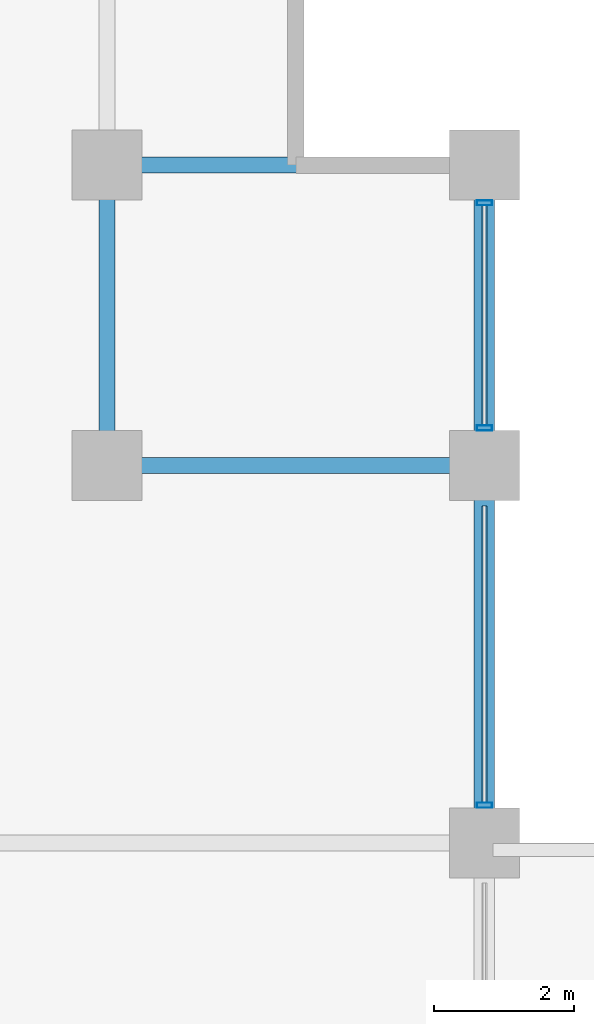
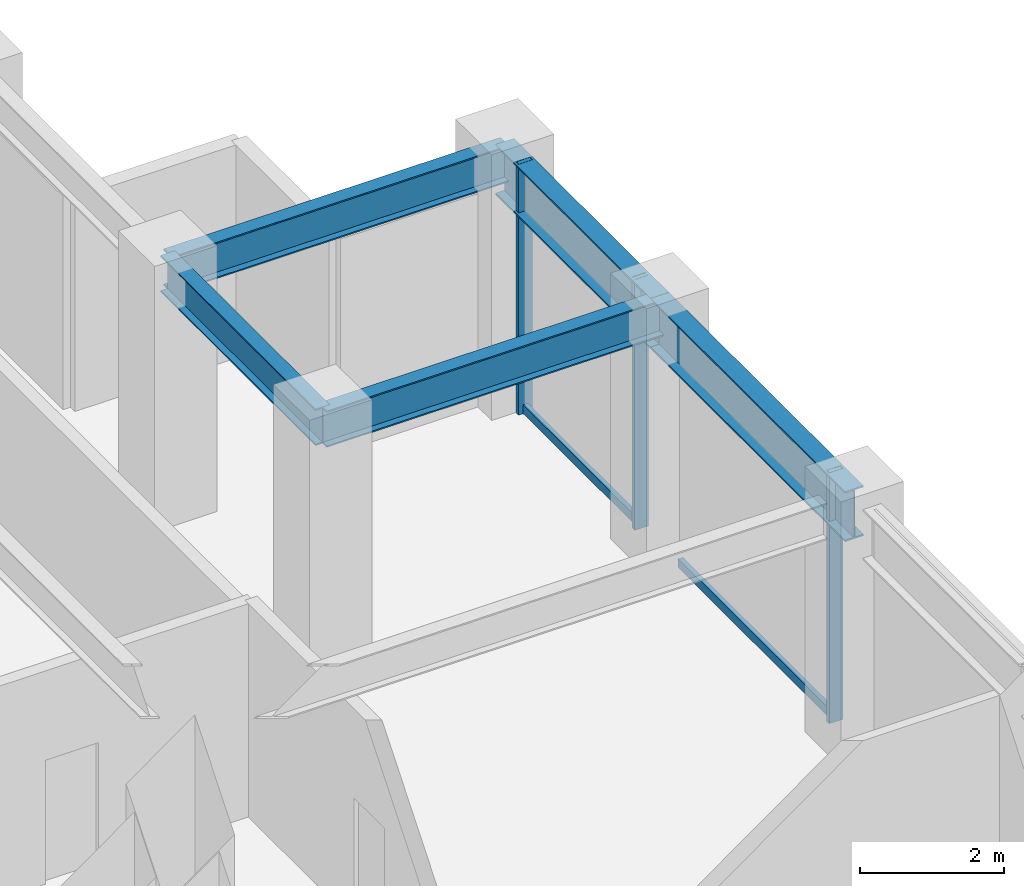
# One storey, part 14 of 25: 5 beams, 5 members, 1 element without a shape of its own.
"""IFC4 building model written with IfcOpenShell, lengths in metres."""

import ifcopenshell
import ifcopenshell.guid

model = None  # the IFC model being written
_history = None  # IfcOwnerHistory: only IFC2X3 demands one
_inside = {}  # id of a spatial element -> (the spatial element, [elements in it])
_under = {}  # id of a project, library or spatial element -> (it, [spatial elements below it])
_declared = {}  # id of a project -> (the project, [libraries it declares])
_typed = {}  # id of a type object -> (the type object, [elements of that type])
_made_of = {}  # id of a material, layer set ... -> (it, [elements and type objects made of it])


def new_model(schema):
    """Start an empty IFC model of exactly this schema.

    Asked for "IFC4X3", IfcOpenShell would pick the latest addendum, in which some entities
    have other attributes; the version numbers below select the first issue.
    IFC2X3 requires an IfcOwnerHistory on every rooted entity: one is made here for all.
    """
    global model, _history
    if schema == "IFC4X3":
        model = ifcopenshell.file(schema_version=(4, 3, 0, 0))
    else:
        model = ifcopenshell.file(schema=schema)
    _inside.clear()
    _under.clear()
    _declared.clear()
    _typed.clear()
    _made_of.clear()
    _history = None
    if model.schema == "IFC2X3":
        org = make("IfcOrganization", Name="unknown")
        user = make(
            "IfcPersonAndOrganization",
            ThePerson=make("IfcPerson", FamilyName="unknown"),
            TheOrganization=org,
        )
        app = make(
            "IfcApplication",
            ApplicationDeveloper=org,
            Version="unknown",
            ApplicationFullName="unknown",
            ApplicationIdentifier="unknown",
        )
        _history = make(
            "IfcOwnerHistory",
            OwningUser=user,
            OwningApplication=app,
            ChangeAction="ADDED",
            CreationDate=0,
        )
    return model


def make(cls, **values):
    """One entity of the class cls with the attributes given. An attribute that is None is left unset."""
    return model.create_entity(
        cls, **{name: value for name, value in values.items() if value is not None}
    )


def rooted(cls, **values):
    """An entity with a GlobalId (a new one), such as an element, a storey or a relation."""
    return make(cls, GlobalId=ifcopenshell.guid.new(), OwnerHistory=_history, **values)


def si_unit(unit_type, name, prefix=None):
    """IfcSIUnit, for example si_unit("LENGTHUNIT", "METRE", prefix="MILLI")."""
    return make("IfcSIUnit", UnitType=unit_type, Prefix=prefix, Name=name)


def assignment(units):
    """IfcUnitAssignment: the units of a project."""
    return None if units is None else make("IfcUnitAssignment", Units=units)


def point(xyz):
    """IfcCartesianPoint."""
    return None if xyz is None else make("IfcCartesianPoint", Coordinates=xyz)


def direction(xyz):
    """IfcDirection."""
    return None if xyz is None else make("IfcDirection", DirectionRatios=xyz)


def frame(location, z_axis=None, x_axis=None):
    """IfcAxis2Placement3D, a coordinate frame: its origin and axes. An axis left out is left unset."""
    return make(
        "IfcAxis2Placement3D",
        Location=point(location),
        Axis=direction(z_axis),
        RefDirection=direction(x_axis),
    )


def frame_2d(location, x_axis=None):
    """IfcAxis2Placement2D, a coordinate frame in the plane: its origin and x axis."""
    return make(
        "IfcAxis2Placement2D", Location=point(location), RefDirection=direction(x_axis)
    )


def origin():
    """The frame at (0, 0, 0) with its axes left unset."""
    return frame((0.0, 0.0, 0.0))


def origin_2d():
    """The frame at (0, 0) in the plane with its x axis left unset."""
    return frame_2d((0.0, 0.0))


def place(relative_to, where):
    """IfcLocalPlacement: puts the frame where relative to a parent placement (None: the world)."""
    return make(
        "IfcLocalPlacement", PlacementRelTo=relative_to, RelativePlacement=where
    )


def context(
    kind, dimensions, precision=None, world=None, true_north=None, identifier=None
):
    """IfcGeometricRepresentationContext, for example the 3D "Model" context."""
    return make(
        "IfcGeometricRepresentationContext",
        ContextIdentifier=identifier,
        ContextType=kind,
        CoordinateSpaceDimension=dimensions,
        Precision=precision,
        WorldCoordinateSystem=world,
        TrueNorth=true_north,
    )


def subcontext(parent, identifier, kind, view, scale=None):
    """IfcGeometricRepresentationSubContext, for example "Body" below "Model"."""
    return make(
        "IfcGeometricRepresentationSubContext",
        ContextIdentifier=identifier,
        ContextType=kind,
        ParentContext=parent,
        TargetScale=scale,
        TargetView=view,
    )


def project(units=None, contexts=None):
    """IfcProject with its units and contexts."""
    return rooted(
        "IfcProject",
        Name="project",
        RepresentationContexts=contexts,
        UnitsInContext=assignment(units),
    )


def spatial(cls, under=None, at=None, **own):
    """A site, building, storey or space (cls), placed at a placement, below another one or the project."""
    s = rooted(cls, ObjectPlacement=at, **own)
    if under is not None:
        _under.setdefault(under.id(), (under, []))[1].append(s)
    return s


def profile(cls, at=None, kind="AREA", **sizes):
    """A parametric profile (cls). Its sizes go by their IFC names, for example OverallWidth=200.0."""
    return make(cls, ProfileType=kind, Position=at, **sizes)


def hollow_rectangle(**sizes):
    """IfcRectangleHollowProfileDef."""
    return profile("IfcRectangleHollowProfileDef", **sizes)


def i_section(**sizes):
    """IfcIShapeProfileDef."""
    return profile("IfcIShapeProfileDef", **sizes)


def extrude(swept, where, along, depth):
    """IfcExtrudedAreaSolid: the profile swept, set in the frame where, extruded along a direction by depth."""
    return make(
        "IfcExtrudedAreaSolid",
        SweptArea=swept,
        Position=where,
        ExtrudedDirection=direction(along),
        Depth=depth,
    )


def shape(context_of_items, identifier, shape_type, items):
    """IfcShapeRepresentation: the items that make up one representation, for example the "Body"."""
    return make(
        "IfcShapeRepresentation",
        ContextOfItems=context_of_items,
        RepresentationIdentifier=identifier,
        RepresentationType=shape_type,
        Items=items,
    )


def material(Name=None, Category=None):
    """IfcMaterial."""
    return make("IfcMaterial", Name=Name, Category=Category)


def layer(
    of_material, thickness, ventilated=None, Name=None, Category=None, Priority=None
):
    """IfcMaterialLayer: one layer of a wall or slab, of a material (None: an air gap)."""
    return make(
        "IfcMaterialLayer",
        Material=of_material,
        LayerThickness=thickness,
        IsVentilated=ventilated,
        Name=Name,
        Category=Category,
        Priority=Priority,
    )


def layer_set(layers, Name=None):
    """IfcMaterialLayerSet."""
    return make("IfcMaterialLayerSet", MaterialLayers=layers, LayerSetName=Name)


def material_profile(
    of_material, cross_section, Name=None, Category=None, Priority=None
):
    """IfcMaterialProfile: a cross section and its material."""
    return make(
        "IfcMaterialProfile",
        Name=Name,
        Material=of_material,
        Profile=cross_section,
        Priority=Priority,
        Category=Category,
    )


def profile_set(profiles, Name=None, composite=None):
    """IfcMaterialProfileSet."""
    return make(
        "IfcMaterialProfileSet",
        Name=Name,
        MaterialProfiles=profiles,
        CompositeProfile=composite,
    )


def made_of(thing, what):
    """Note that an element or type object is made of a material, layer set ...; save() writes the relation."""
    if what is not None:
        _made_of.setdefault(what.id(), (what, []))[1].append(thing)
    return thing


def type_object(cls, material=None, **own):
    """A type object (cls), such as IfcWallType, which elements share."""
    return made_of(rooted(cls, **own), material)


def element(
    cls,
    number,
    at=None,
    inside=None,
    cuts=None,
    type_object=None,
    material=None,
    context=None,
    identifier="Body",
    shape_type=None,
    held_by="IfcProductDefinitionShape",
    body=None,
    shapes=None,
    **own,
):
    """One element of the class cls, such as IfcWall. Its Tag is "e" and its number.

    at: its placement. inside: the storey or other place that contains it. cuts: it is an
    opening in that element (IfcRelVoidsElement). A single representation is given by context,
    identifier, shape_type and body (its items); several are given by shapes. held_by: the class
    of the entity that holds the representations. save() writes the other relations.
    """
    e = rooted(cls, Tag="e%d" % number, ObjectPlacement=at, **own)
    if body is not None:
        shapes = [shape(context, identifier, shape_type, body)]
    if shapes is not None:
        e.Representation = make(held_by, Representations=shapes)
    if inside is not None:
        _inside.setdefault(inside.id(), (inside, []))[1].append(e)
    if cuts is not None:
        rooted(
            "IfcRelVoidsElement", RelatingBuildingElement=cuts, RelatedOpeningElement=e
        )
    if type_object is not None:
        _typed.setdefault(type_object.id(), (type_object, []))[1].append(e)
    return made_of(e, material)


def aggregate(whole, parts):
    """IfcRelAggregates: a whole, such as a stair, and the parts it consists of."""
    return rooted("IfcRelAggregates", RelatingObject=whole, RelatedObjects=parts)


def save(model, path):
    """Write the relations noted so far, then the file.

    IfcRelAggregates (storeys below a building ...), IfcRelContainedInSpatialStructure (elements
    in a storey), IfcRelDefinesByType, IfcRelAssociatesMaterial and IfcRelDeclares: one each for
    every whole, place, type object, material and project.
    """
    for whole, parts in _under.values():
        aggregate(whole, parts)
    for where, things in _inside.values():
        rooted(
            "IfcRelContainedInSpatialStructure",
            RelatedElements=things,
            RelatingStructure=where,
        )
    for kind, things in _typed.values():
        rooted("IfcRelDefinesByType", RelatedObjects=things, RelatingType=kind)
    for what, things in _made_of.values():
        rooted("IfcRelAssociatesMaterial", RelatedObjects=things, RelatingMaterial=what)
    for by, libraries in _declared.values():
        rooted("IfcRelDeclares", RelatingContext=by, RelatedDefinitions=libraries)
    model.write(path)


model = new_model("IFC4")

# Units and contexts
model_context = context("Model", 3, precision=1e-05, world=origin(), true_north=direction((0.0, 1.0)))
body_context = subcontext(model_context, "Body", "Model", "MODEL_VIEW")
ifc_project = project(units=[si_unit("LENGTHUNIT", "METRE"), si_unit("AREAUNIT", "SQUARE_METRE"), si_unit("VOLUMEUNIT", "CUBIC_METRE"), si_unit("PLANEANGLEUNIT", "RADIAN"), si_unit("MASSUNIT", "GRAM", prefix="KILO")], contexts=[model_context])

# Site, building, storey
site_placement = place(None, origin())
site = spatial("IfcSite", under=ifc_project, at=site_placement, CompositionType="ELEMENT")
building_placement = place(site_placement, origin())
building = spatial("IfcBuilding", under=site, at=building_placement, Name="Surkhivell Harbour Commons", CompositionType="ELEMENT")
storey_placement = place(building_placement, frame((0.0, 0.0, 162.0)))
storey = spatial("IfcBuildingStorey", under=building, at=storey_placement, Name="L42", CompositionType="ELEMENT", Elevation=162.0)

# Beams
ifc_material_1 = material(Name="Steel S355", Category="steel")
ifc_material_profile_1 = material_profile(ifc_material_1, i_section(OverallWidth=0.22998046875, OverallDepth=0.616943359375, WebThickness=0.01318359375, FlangeThickness=0.022216796875, at=origin_2d()), Name="UB610x229x140")
ifc_profile_set_1 = profile_set([ifc_material_profile_1], Name="Steel S355")
beam_type_1 = type_object("IfcBeamType", Name="BM-GRD-610B", PredefinedType="BEAM", material=ifc_profile_set_1)
beam_1_placement = place(storey_placement, frame((16.199951171875, 16.199951171875, 3.94140625), z_axis=(0.0, 1.0, 0.0), x_axis=(-1.0, 0.0, 0.0)))
element("IfcBeam", 1, at=beam_1_placement, inside=storey, type_object=beam_type_1, Name="L42 Floor Girder (16.2,16.2)", PredefinedType="BEAM", context=body_context, shape_type="SweptSolid", body=[
    extrude(i_section(OverallWidth=0.22998046875, OverallDepth=0.616943359375, WebThickness=0.01318359375, FlangeThickness=0.022216796875, at=origin_2d()), origin(), (0.0, 0.0, 1.0), 4.300048828125),
])
for number, where, z_axis, x_axis, name in (
    (2, (16.199951171875, 16.199951171875, 3.94140625), (1.0, 0.0, 0.0), (0.0, 1.0, 0.0), "L42 Floor Girder (16.2,16.2)"),
    (3, (16.199951171875, 20.5, 3.94140625), (1.0, 0.0, 0.0), (0.0, 1.0, 0.0), "L42 Floor Girder (16.2,20.5)"),
):
    element("IfcBeam", number, at=place(storey_placement, frame(where, z_axis=z_axis, x_axis=x_axis)), inside=storey, type_object=beam_type_1, Name=name, PredefinedType="BEAM", context=body_context, shape_type="SweptSolid", body=[
        extrude(i_section(OverallWidth=0.22998046875, OverallDepth=0.616943359375, WebThickness=0.01318359375, FlangeThickness=0.022216796875, at=origin_2d()), origin(), (0.0, 0.0, 1.0), 5.400146484375),
    ])
ifc_material_2 = material(Name="Steel S460", Category="steel")
ifc_material_profile_2 = material_profile(ifc_material_2, i_section(OverallWidth=0.2939453125, OverallDepth=0.85107421875, WebThickness=0.01611328125, FlangeThickness=0.02685546875, at=origin_2d()), Name="UB838x292x226")
ifc_profile_set_2 = profile_set([ifc_material_profile_2], Name="Steel S460")
beam_type_2 = type_object("IfcBeamType", Name="BM-SPN-838", PredefinedType="SPANDREL", material=ifc_profile_set_2)
beam_2_placement = place(storey_placement, frame((21.60009765625, 10.800048828125, 3.824462890625), z_axis=(0.0, 1.0, 0.0), x_axis=(-1.0, 0.0, 0.0)))
element("IfcBeam", 4, at=beam_2_placement, inside=storey, type_object=beam_type_2, Name="L42 Tube Spandrel (21.6,10.8)", PredefinedType="SPANDREL", context=body_context, shape_type="SweptSolid", body=[
    extrude(i_section(OverallWidth=0.2939453125, OverallDepth=0.85107421875, WebThickness=0.01611328125, FlangeThickness=0.02685546875, at=origin_2d()), origin(), (0.0, 0.0, 1.0), 5.39990234375),
])
beam_3_placement = place(storey_placement, frame((21.60009765625, 16.199951171875, 3.824462890625), z_axis=(0.0, 1.0, 0.0), x_axis=(-1.0, 0.0, 0.0)))
element("IfcBeam", 5, at=beam_3_placement, inside=storey, type_object=beam_type_2, Name="L42 Tube Spandrel (21.6,16.2)", PredefinedType="SPANDREL", context=body_context, shape_type="SweptSolid", body=[
    extrude(i_section(OverallWidth=0.2939453125, OverallDepth=0.85107421875, WebThickness=0.01611328125, FlangeThickness=0.02685546875, at=origin_2d()), origin(), (0.0, 0.0, 1.0), 4.300048828125),
])

# Curtain wall, members
ifc_material_3 = material(Name="Anodised pale-metal aluminium and insulated glazing", Category="aluminium")
ifc_layer = layer(ifc_material_3, 0.205078125)
ifc_layer_set = layer_set([ifc_layer], Name="Anodised pale-metal aluminium and insulated glazing")
curtain_wall_type = type_object("IfcCurtainWallType", Name="CW-SYS-Z2", PredefinedType="NOTDEFINED", material=ifc_layer_set)
curtain_wall_placement = place(storey_placement, origin())
curtain_wall = element("IfcCurtainWall", 6, at=curtain_wall_placement, inside=storey, type_object=curtain_wall_type, Name="L42 Curtain Wall CW-L42-E02", PredefinedType="NOTDEFINED")
ifc_material_4 = material(Name="Anodised pale-metal aluminium alloy 6063-T6", Category="aluminium")
ifc_material_profile_3 = material_profile(ifc_material_4, hollow_rectangle(XDim=0.074951171875, YDim=0.219970703125, WallThickness=0.00390625, at=origin_2d()), Name="ALU-MULL-75x220")
ifc_profile_set_3 = profile_set([ifc_material_profile_3], Name="Anodised pale-metal aluminium alloy 6063-T6")
member_type_1 = type_object("IfcMemberType", Name="CWM-220", PredefinedType="MULLION", material=ifc_profile_set_3)
member_1_placement = place(storey_placement, frame((21.60009765625, 11.339599609375, 0.0), z_axis=(0.0, 0.0, 1.0), x_axis=(0.0, 1.0, 0.0)))
member_1 = element("IfcMember", 7, at=member_1_placement, type_object=member_type_1, Name="CW-Z2 mullion 4", PredefinedType="MULLION", context=body_context, shape_type="SweptSolid", body=[
    extrude(hollow_rectangle(XDim=0.074951171875, YDim=0.219970703125, WallThickness=0.00390625, at=origin_2d()), origin(), (0.0, 0.0, 1.0), 4.25),
])
member_2_placement = place(storey_placement, frame((21.60009765625, 16.739501953125, 0.0), z_axis=(0.0, 0.0, 1.0), x_axis=(0.0, 1.0, 0.0)))
member_2 = element("IfcMember", 8, at=member_2_placement, type_object=member_type_1, Name="CW-Z2 mullion 5", PredefinedType="MULLION", context=body_context, shape_type="SweptSolid", body=[
    extrude(hollow_rectangle(XDim=0.074951171875, YDim=0.219970703125, WallThickness=0.00390625, at=origin_2d()), origin(), (0.0, 0.0, 1.0), 4.25),
])
member_3_placement = place(storey_placement, frame((21.60009765625, 19.96044921875, 0.0), z_axis=(0.0, 0.0, 1.0), x_axis=(0.0, 1.0, 0.0)))
member_3 = element("IfcMember", 9, at=member_3_placement, type_object=member_type_1, Name="CW-Z2 mullion 6", PredefinedType="MULLION", context=body_context, shape_type="SweptSolid", body=[
    extrude(hollow_rectangle(XDim=0.074951171875, YDim=0.219970703125, WallThickness=0.00390625, at=origin_2d()), origin(), (0.0, 0.0, 1.0), 4.25),
])
ifc_material_profile_4 = material_profile(ifc_material_4, hollow_rectangle(XDim=0.074951171875, YDim=0.14990234375, WallThickness=0.00341796875, at=origin_2d()), Name="ALU-TRAN-75x150")
ifc_profile_set_4 = profile_set([ifc_material_profile_4], Name="Anodised pale-metal aluminium alloy 6063-T6")
member_type_2 = type_object("IfcMemberType", Name="CWT-150", PredefinedType="USERDEFINED", material=ifc_profile_set_4)
member_4_placement = place(storey_placement, frame((21.60009765625, 11.376953125, 0.074951171875), z_axis=(0.0, 1.0, 0.0), x_axis=(-1.0, 0.0, 0.0)))
member_4 = element("IfcMember", 10, at=member_4_placement, type_object=member_type_2, Name="CW-Z2 transom 4.1", ObjectType="TRANSOM", PredefinedType="USERDEFINED", context=body_context, shape_type="SweptSolid", body=[
    extrude(hollow_rectangle(XDim=0.074951171875, YDim=0.14990234375, WallThickness=0.00341796875, at=origin_2d()), origin(), (0.0, 0.0, 1.0), 4.24609375),
])
member_5_placement = place(storey_placement, frame((21.60009765625, 16.777099609375, 0.074951171875), z_axis=(0.0, 1.0, 0.0), x_axis=(-1.0, 0.0, 0.0)))
member_5 = element("IfcMember", 11, at=member_5_placement, type_object=member_type_2, Name="CW-Z2 transom 5.1", ObjectType="TRANSOM", PredefinedType="USERDEFINED", context=body_context, shape_type="SweptSolid", body=[
    extrude(hollow_rectangle(XDim=0.074951171875, YDim=0.14990234375, WallThickness=0.00341796875, at=origin_2d()), origin(), (0.0, 0.0, 1.0), 3.14599609375),
])
aggregate(curtain_wall, [member_1, member_4, member_2, member_3, member_5])

save(model, "model.ifc")
